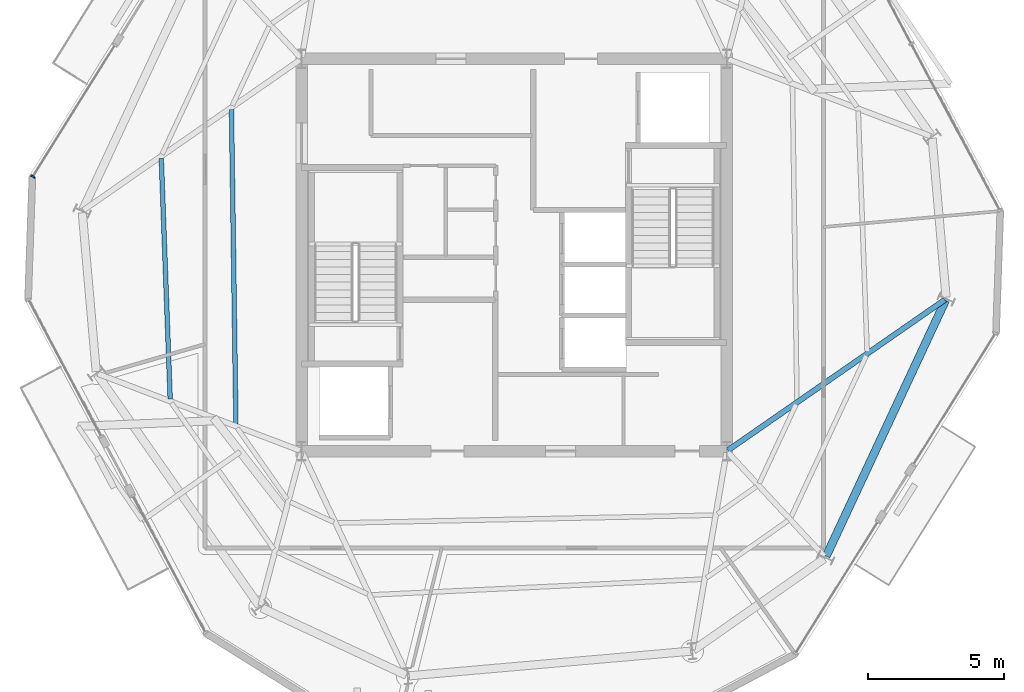
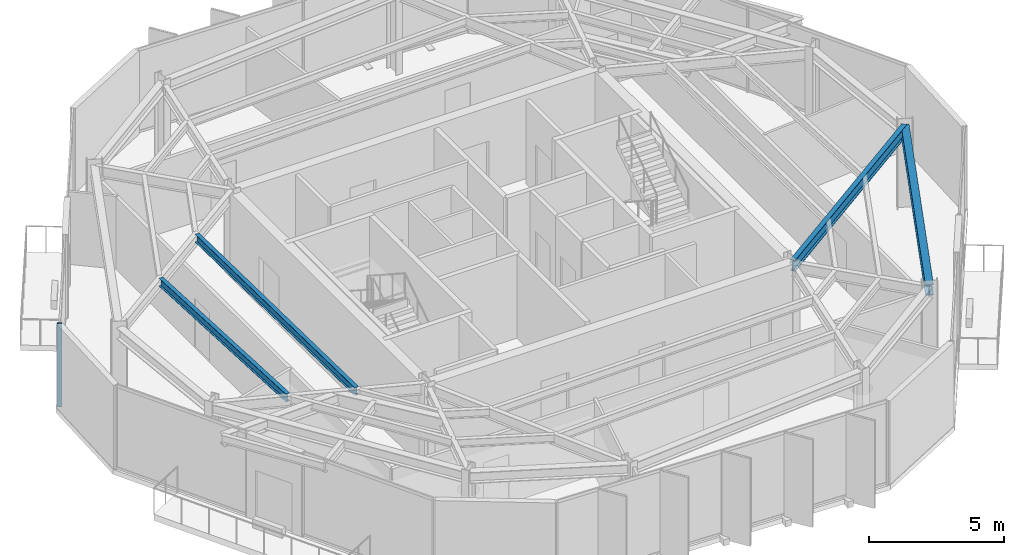
# One storey, part 3 of 12: 4 beams, 1 member, 1 element without a shape of its own.
"""IFC4 building model written with IfcOpenShell, lengths in metres."""

from ifc_helpers import new_model, si_unit, direction, frame, origin, origin_2d, place, context, subcontext, project, spatial, rectangle, i_section, extrude, material, layer, layer_set, material_profile, profile_set, type_object, element, aggregate, save


model = new_model("IFC4")

# Units and contexts
model_context = context("Model", 3, precision=1e-05, world=origin(), true_north=direction((0.0, 1.0)))
body_context = subcontext(model_context, "Body", "Model", "MODEL_VIEW")
ifc_project = project(units=[si_unit("LENGTHUNIT", "METRE"), si_unit("AREAUNIT", "SQUARE_METRE"), si_unit("VOLUMEUNIT", "CUBIC_METRE"), si_unit("PLANEANGLEUNIT", "RADIAN"), si_unit("MASSUNIT", "GRAM", prefix="KILO")], contexts=[model_context])

# Site, building, storey
site_placement = place(None, origin())
site = spatial("IfcSite", under=ifc_project, at=site_placement, CompositionType="ELEMENT")
building_placement = place(site_placement, origin())
building = spatial("IfcBuilding", under=site, at=building_placement, Name="Kranzbogen Civic Tower", CompositionType="ELEMENT")
storey_placement = place(building_placement, frame((0.0, 0.0, 258.199951171875)))
storey = spatial("IfcBuildingStorey", under=building, at=storey_placement, Name="L62", CompositionType="ELEMENT", Elevation=258.199951171875)

# Curtain wall, member
ifc_material_1 = material(Name="Pale Anodised Aluminium", Category="aluminium")
ifc_layer = layer(ifc_material_1, 0.219970703125, Name="Pale Anodised Aluminium")
ifc_layer_set = layer_set([ifc_layer], Name="Pale Anodised Aluminium")
curtain_wall_type = type_object("IfcCurtainWallType", Name="Zone 4 Stick Curtain Wall System CW-05", PredefinedType="USERDEFINED", material=ifc_layer_set)
curtain_wall_placement = place(storey_placement, origin())
curtain_wall = element("IfcCurtainWall", 1, at=curtain_wall_placement, inside=storey, type_object=curtain_wall_type, Name="L62 curtain wall CW-L62-F2-S2", ObjectType="STICK CURTAIN WALL", PredefinedType="USERDEFINED")
ifc_material_profile_1 = material_profile(ifc_material_1, rectangle(XDim=0.06494140625, YDim=0.179931640625, at=origin_2d()), Name="ALU-M 65x180")
ifc_profile_set_1 = profile_set([ifc_material_profile_1], Name="Pale Anodised Aluminium")
member_type = type_object("IfcMemberType", Name="Curtain Wall Mullion ALU-M 65x180", PredefinedType="MULLION", material=ifc_profile_set_1)
member_placement = place(storey_placement, frame((7.3359375, 27.87744140625, 0.0), z_axis=(0.0, 0.0, 1.0), x_axis=(-0.52998331033, -0.848008072351, 0.0)))
member = element("IfcMember", 2, at=member_placement, type_object=member_type, Name="CW-05 mullion 2", PredefinedType="MULLION", context=body_context, shape_type="SweptSolid", body=[
    extrude(rectangle(XDim=0.06494140625, YDim=0.179931640625, at=origin_2d()), origin(), (0.0, 0.0, 1.0), 3.780029296875),
])
aggregate(curtain_wall, [member])

# Beams
ifc_material_2 = material(Name="Steel S355", Category="steel")
ifc_material_profile_2 = material_profile(ifc_material_2, i_section(OverallWidth=0.300048828125, OverallDepth=0.5, WebThickness=0.014404296875, FlangeThickness=0.028076171875, at=origin_2d()), Name="HEB 500")
ifc_profile_set_2 = profile_set([ifc_material_profile_2], Name="Steel S355")
beam_type_1 = type_object("IfcBeamType", Name="Perimeter Tube Spandrel Beam HEB 500", PredefinedType="SPANDREL", material=ifc_profile_set_2)
beam_1_placement = place(storey_placement, frame((36.449951171875, 13.944091796875, 3.530029296875), z_axis=(0.422668780888, 0.906284227857, 0.0), x_axis=(-0.906284227857, 0.422668780888, 0.0)))
element("IfcBeam", 3, at=beam_1_placement, inside=storey, type_object=beam_type_1, Name="L62 perimeter spandrel beam 05", PredefinedType="SPANDREL", context=body_context, shape_type="SweptSolid", body=[
    extrude(i_section(OverallWidth=0.300048828125, OverallDepth=0.5, WebThickness=0.014404296875, FlangeThickness=0.028076171875, at=origin_2d()), origin(), (0.0, 0.0, 1.0), 10.363037109375),
])
ifc_material_profile_3 = material_profile(ifc_material_2, i_section(OverallWidth=0.199951171875, OverallDepth=0.5, WebThickness=0.01025390625, FlangeThickness=0.01611328125, at=origin_2d()), Name="IPE 500")
ifc_profile_set_3 = profile_set([ifc_material_profile_3], Name="Steel S355")
beam_type_2 = type_object("IfcBeamType", Name="Radial Tower Floor Girder IPE 500", PredefinedType="BEAM", material=ifc_profile_set_3)
beam_2_placement = place(storey_placement, frame((40.805908203125, 23.35595703125, 3.530029296875), z_axis=(-0.821542812331, -0.570146829779, 0.0), x_axis=(0.570146829779, -0.821542812331, 0.0)))
element("IfcBeam", 4, at=beam_2_placement, inside=storey, type_object=beam_type_2, Name="L62 radial floor girder 06", PredefinedType="BEAM", context=body_context, shape_type="SweptSolid", body=[
    extrude(i_section(OverallWidth=0.199951171875, OverallDepth=0.5, WebThickness=0.01025390625, FlangeThickness=0.01611328125, at=origin_2d()), origin(), (0.0, 0.0, 1.0), 9.68505859375),
])
ifc_material_profile_4 = material_profile(ifc_material_2, i_section(OverallWidth=0.169921875, OverallDepth=0.360107421875, WebThickness=0.008056640625, FlangeThickness=0.0126953125, at=origin_2d()), Name="IPE 360")
ifc_profile_set_4 = profile_set([ifc_material_profile_4], Name="Steel S355")
beam_type_3 = type_object("IfcBeamType", Name="Secondary Composite Floor Joist IPE 360", PredefinedType="JOIST", material=ifc_profile_set_4)
beam_3_placement = place(storey_placement, frame((12.048095703125, 28.5419921875, 3.60009765625), z_axis=(0.036992246074, -0.999315552631, 0.0), x_axis=(0.999315552631, 0.036992246074, 0.0)))
element("IfcBeam", 5, at=beam_3_placement, inside=storey, type_object=beam_type_3, Name="L62 secondary floor joist 1.12", PredefinedType="JOIST", context=body_context, shape_type="SweptSolid", body=[
    extrude(i_section(OverallWidth=0.169921875, OverallDepth=0.360107421875, WebThickness=0.008056640625, FlangeThickness=0.0126953125, at=origin_2d()), origin(), (0.0, 0.0, 1.0), 8.837158203125),
])
beam_4_placement = place(storey_placement, frame((14.6240234375, 30.3310546875, 3.60009765625), z_axis=(0.014221385906, -0.999898870978, 0.0), x_axis=(0.999898870978, 0.014221385906, 0.0)))
element("IfcBeam", 6, at=beam_4_placement, inside=storey, type_object=beam_type_3, Name="L62 secondary floor joist 2.12", PredefinedType="JOIST", context=body_context, shape_type="SweptSolid", body=[
    extrude(i_section(OverallWidth=0.169921875, OverallDepth=0.360107421875, WebThickness=0.008056640625, FlangeThickness=0.0126953125, at=origin_2d()), origin(), (0.0, 0.0, 1.0), 11.536376953125),
])

save(model, "model.ifc")
